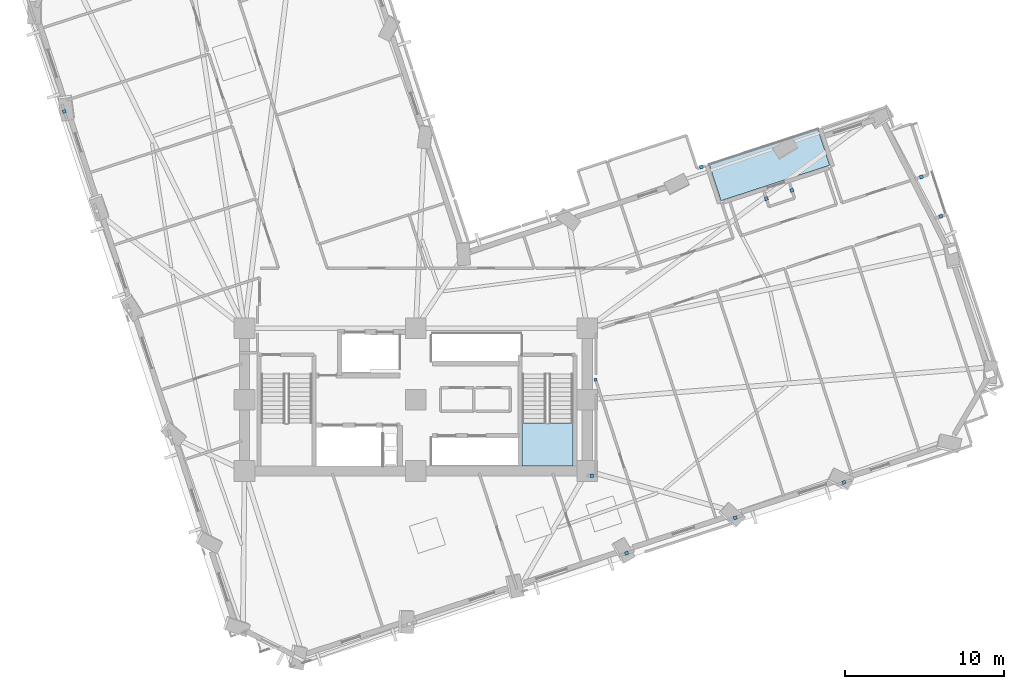
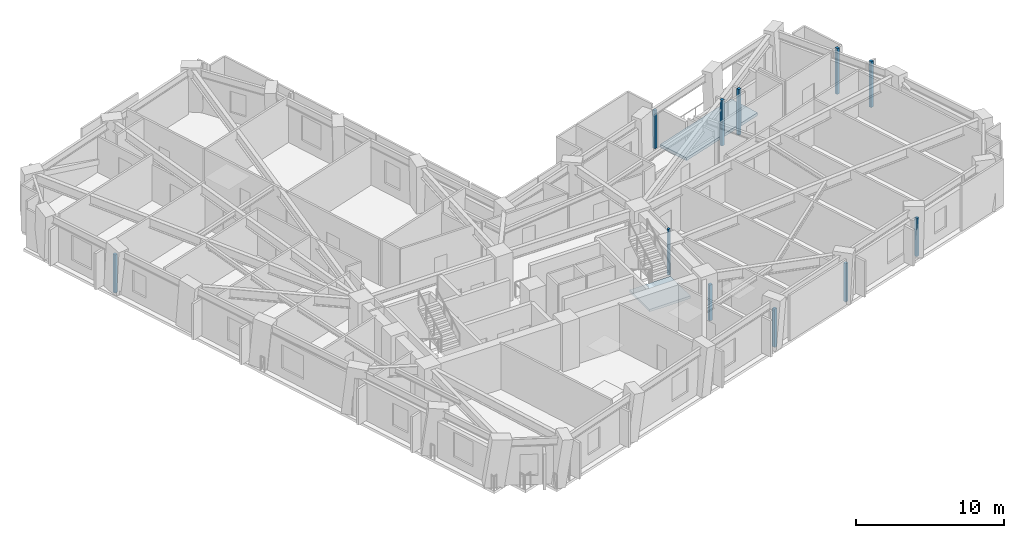
# One storey, part 5 of 16: 11 plates, 2 slabs, 1 element without a shape of its own.
"""IFC4 building model written with IfcOpenShell, lengths in metres."""

from ifc_helpers import new_model, si_unit, direction, frame, origin, origin_2d, place, context, subcontext, project, spatial, polyline, rectangle, outline, extrude, material, layer, layer_set, type_object, element, aggregate, save


model = new_model("IFC4")

# Units and contexts
model_context = context("Model", 3, precision=1e-05, world=origin(), true_north=direction((0.0, 1.0)))
body_context = subcontext(model_context, "Body", "Model", "MODEL_VIEW")
ifc_project = project(units=[si_unit("LENGTHUNIT", "METRE"), si_unit("AREAUNIT", "SQUARE_METRE"), si_unit("VOLUMEUNIT", "CUBIC_METRE"), si_unit("PLANEANGLEUNIT", "RADIAN"), si_unit("MASSUNIT", "GRAM", prefix="KILO")], contexts=[model_context])

# Site, building, storey
site_placement = place(None, origin())
site = spatial("IfcSite", under=ifc_project, at=site_placement, CompositionType="ELEMENT")
building_placement = place(site_placement, origin())
building = spatial("IfcBuilding", under=site, at=building_placement, Name="Gaonmaruhae Medical Tower", CompositionType="ELEMENT")
storey_placement = place(building_placement, frame((0.0, 0.0, 100.39990234375)))
storey = spatial("IfcBuildingStorey", under=building, at=storey_placement, Name="L23", CompositionType="ELEMENT", Elevation=100.39990234375)

# Plates
ifc_material_1 = material(Name="Anodised aluminium 6063-T6", Category="aluminium")
ifc_layer_1 = layer(ifc_material_1, 0.011962890625)
ifc_layer_set_1 = layer_set([ifc_layer_1], Name="Anodised aluminium 6063-T6")
plate_type = type_object("IfcPlateType", Name="PP-01 Interior Partition Corner Stiffener Plate", PredefinedType="SHEET", material=ifc_layer_set_1)
plate_1_placement = place(storey_placement, frame((36.125244140625, 13.549072265625, 0.0), z_axis=(0.0, 0.0, 1.0), x_axis=(0.309880018504, -0.95077566972, 0.0)))
element("IfcPlate", 1, at=plate_1_placement, inside=storey, type_object=plate_type, Name="L23 Partition End Jamb Post Plate PLT-L23-ENDP-PW014-0", PredefinedType="SHEET", context=body_context, shape_type="SweptSolid", body=[
    extrude(rectangle(XDim=0.179931640625, YDim=0.179931640625, at=origin_2d()), origin(), (0.0, 0.0, 1.0), 3.780029296875),
])
plate_2_placement = place(storey_placement, frame((38.07861328125, 2.615478515625, 0.0), z_axis=(0.0, 0.0, 1.0), x_axis=(-0.950878377547, -0.30956471232, 0.0)))
element("IfcPlate", 2, at=plate_2_placement, inside=storey, type_object=plate_type, Name="L23 Partition Corner Stiffener Plate PLT-L23-JGP-PW015", PredefinedType="SHEET", context=body_context, shape_type="SweptSolid", body=[
    extrude(rectangle(XDim=0.219970703125, YDim=0.219970703125, at=origin_2d()), origin(), (0.0, 0.0, 1.0), 3.1650390625),
])
plate_3_placement = place(storey_placement, frame((35.875, 7.5, 0.0), z_axis=(0.0, 0.0, 1.0), x_axis=(1.0, 0.0, 0.0)))
element("IfcPlate", 3, at=plate_3_placement, inside=storey, type_object=plate_type, Name="L23 Partition Corner Stiffener Plate PLT-L23-JGP-PW016", PredefinedType="SHEET", context=body_context, shape_type="SweptSolid", body=[
    extrude(rectangle(XDim=0.219970703125, YDim=0.219970703125, at=origin_2d()), origin(), (0.0, 0.0, 1.0), 2.965087890625),
])
for number, where, z_axis, x_axis, name in (
    (4, (44.923583984375, 4.846923828125, 0.0), (0.0, 0.0, 1.0), (-0.950980980809, -0.309249372094, 0.0), "L23 Partition Corner Stiffener Plate PLT-L23-JGP-PW024"),
    (5, (51.76953125, 7.077392578125, 0.0), (0.0, 0.0, 1.0), (-0.950921591666, -0.309431941635, 0.0), "L23 Partition Corner Stiffener Plate PLT-L23-JGP-PW027"),
    (6, (2.64404296875, 30.4580078125, 0.0), (0.0, 0.0, 1.0), (-0.3099795818, 0.950743213947, 0.0), "L23 Partition Corner Stiffener Plate PLT-L23-JGP-PW053"),
):
    element("IfcPlate", number, at=place(storey_placement, frame(where, z_axis=z_axis, x_axis=x_axis)), inside=storey, type_object=plate_type, Name=name, PredefinedType="SHEET", context=body_context, shape_type="SweptSolid", body=[
        extrude(rectangle(XDim=0.219970703125, YDim=0.219970703125, at=origin_2d()), origin(), (0.0, 0.0, 1.0), 3.1650390625),
    ])
plate_4_placement = place(storey_placement, frame((42.7900390625, 26.9541015625, 0.0), z_axis=(0.0, 0.0, 1.0), x_axis=(0.95047234375, 0.310809143635, 0.0)))
element("IfcPlate", 7, at=plate_4_placement, inside=storey, type_object=plate_type, Name="L23 Partition Corner Stiffener Plate PLT-L23-JGP-PW082", PredefinedType="SHEET", context=body_context, shape_type="SweptSolid", body=[
    extrude(rectangle(XDim=0.219970703125, YDim=0.219970703125, at=origin_2d()), origin(), (0.0, 0.0, 1.0), 3.14501953125),
])
for number, where, z_axis, x_axis, name in (
    (8, (46.882080078125, 24.96044921875, 0.0), (0.0, 0.0, 1.0), (0.309099988536, -0.951029545854, 0.0), "L23 Partition Corner Stiffener Plate PLT-L23-JGP-PW084"),
    (9, (48.49853515625, 25.487548828125, 0.0), (0.0, 0.0, 1.0), (-0.309962988154, 0.950748623967, 0.0), "L23 Partition Corner Stiffener Plate PLT-L23-JGP-PW086"),
    (10, (56.659423828125, 26.33056640625, 0.0), (0.0, 0.0, 1.0), (-0.950926992127, -0.309415344875, 0.0), "L23 Partition Corner Stiffener Plate PLT-L23-JGP-PW092"),
    (11, (57.881103515625, 23.846435546875, 0.0), (0.0, 0.0, 1.0), (0.950980980809, 0.309249372094, 0.0), "L23 Partition Corner Stiffener Plate PLT-L23-JGP-PW114"),
):
    element("IfcPlate", number, at=place(storey_placement, frame(where, z_axis=z_axis, x_axis=x_axis)), inside=storey, type_object=plate_type, Name=name, PredefinedType="SHEET", context=body_context, shape_type="SweptSolid", body=[
        extrude(rectangle(XDim=0.219970703125, YDim=0.219970703125, at=origin_2d()), origin(), (0.0, 0.0, 1.0), 3.780029296875),
    ])

# Stair, slab
ifc_material_2 = material(Name="Concrete C40/50", Category="concrete")
stair_type = type_object("IfcStairType", Name="ST-T1 Primary Core Escape Dogleg Stair", PredefinedType="TWO_QUARTER_TURN_STAIR", material=ifc_material_2)
stair_placement = place(storey_placement, origin())
stair = element("IfcStair", 12, at=stair_placement, inside=storey, type_object=stair_type, Name="L23 Protected Escape Stair ST-02", PredefinedType="TWO_QUARTER_TURN_STAIR")
ifc_layer_2 = layer(ifc_material_2, 0.199951171875)
ifc_layer_set_2 = layer_set([ifc_layer_2], Name="Concrete C40/50")
slab_type_1 = type_object("IfcSlabType", Name="SL-200 Stair & Ramp Intermediate Concrete Landing", PredefinedType="LANDING", material=ifc_layer_set_2)
slab_1_placement = place(storey_placement, frame((0.0, 0.0, 1.800048828125)))
slab_1 = element("IfcSlab", 13, at=slab_1_placement, type_object=slab_type_1, Name="ST-02 landing 1", PredefinedType="LANDING", context=body_context, shape_type="SweptSolid", body=[
    extrude(outline(polyline([(31.5, 10.820068359375), (31.5, 8.12890625), (34.699951171875, 8.12890625), (34.699951171875, 10.820068359375), (31.5, 10.820068359375)])), origin(), (0.0, 0.0, 1.0), 0.199951171875),
])
aggregate(stair, [slab_1])

# Slab
ifc_layer_3 = layer(ifc_material_2, 0.239990234375)
ifc_layer_set_3 = layer_set([ifc_layer_3], Name="Concrete C40/50")
slab_type_2 = type_object("IfcSlabType", Name="TS-240 Sky Garden & Recovery Terrace Slab", PredefinedType="FLOOR", material=ifc_layer_set_3)
slab_2_placement = place(storey_placement, frame((0.0, 0.0, -0.239990234375)))
element("IfcSlab", 14, at=slab_2_placement, inside=storey, type_object=slab_type_2, Name="L23 Outdoor Recovery Terrace Slab", PredefinedType="FLOOR", context=body_context, shape_type="SweptSolid", body=[
    extrude(outline(polyline([(44.031005859375, 24.833740234375), (50.87646484375, 27.064453125), (50.133056640625, 29.346435546875), (43.287353515625, 27.115478515625), (44.031005859375, 24.833740234375)])), origin(), (0.0, 0.0, 1.0), 0.239990234375),
])

save(model, "model.ifc")
